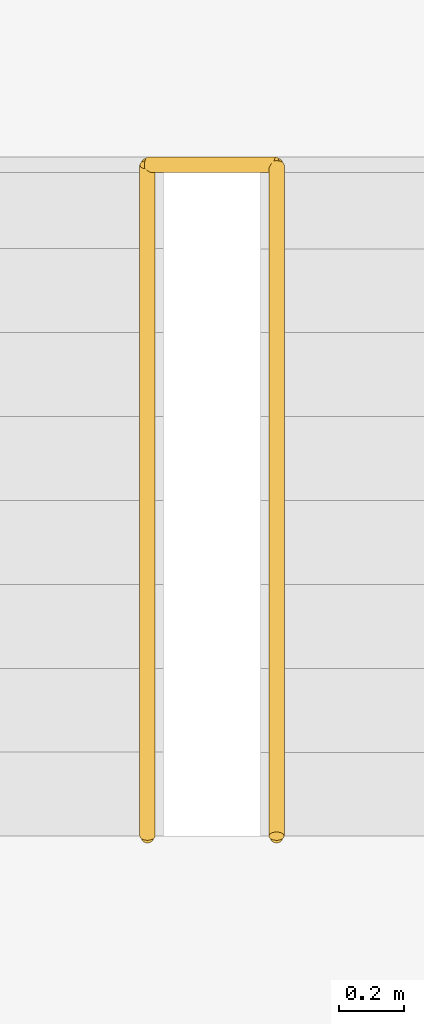
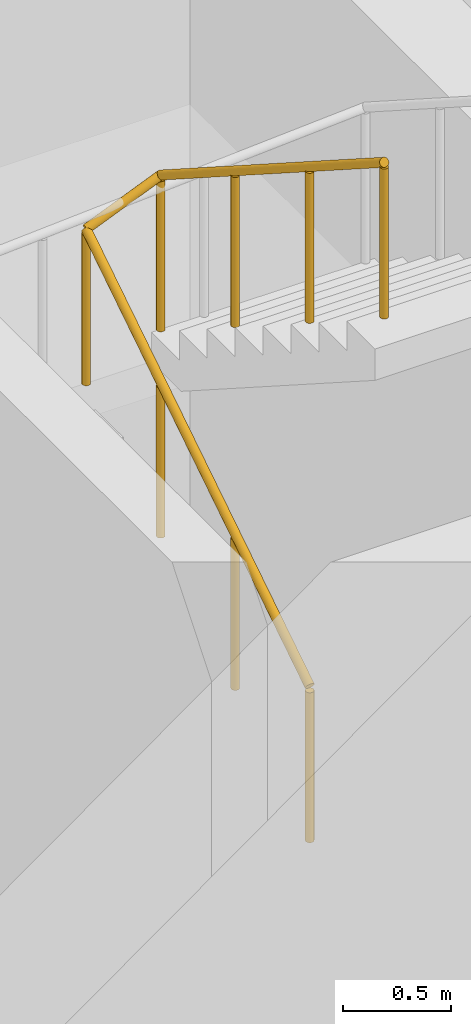
# One storey, part 16 of 16: 1 railing.
"""IFC4 building model written with IfcOpenShell, lengths in metres."""

from ifc_helpers import new_model, si_unit, direction, frame, origin, origin_2d, place, context, subcontext, project, spatial, circle, extrude, material, type_object, element, save


model = new_model("IFC4")

# Units and contexts
model_context = context("Model", 3, precision=1e-05, world=origin(), true_north=direction((0.0, 1.0)))
body_context = subcontext(model_context, "Body", "Model", "MODEL_VIEW")
ifc_project = project(units=[si_unit("LENGTHUNIT", "METRE"), si_unit("AREAUNIT", "SQUARE_METRE"), si_unit("VOLUMEUNIT", "CUBIC_METRE"), si_unit("PLANEANGLEUNIT", "RADIAN"), si_unit("MASSUNIT", "GRAM", prefix="KILO")], contexts=[model_context])

# Site, building, storey
site_placement = place(None, origin())
site = spatial("IfcSite", under=ifc_project, at=site_placement, CompositionType="ELEMENT")
building_placement = place(site_placement, origin())
building = spatial("IfcBuilding", under=site, at=building_placement, Name="Torana Hotel and Residences", CompositionType="ELEMENT")
storey_placement = place(building_placement, frame((0.0, 0.0, 308.60009765625)))
storey = spatial("IfcBuildingStorey", under=building, at=storey_placement, Name="L82", CompositionType="ELEMENT", Elevation=308.60009765625)

# Railing
ifc_material = material(Name="Stainless steel 316", Category="steel")
railing_type = type_object("IfcRailingType", Name="STAIR HANDRAIL HR1 900", PredefinedType="HANDRAIL", material=ifc_material)
railing_placement = place(storey_placement, frame((17.5, -12.949951171875, 3.16650390625)))
element("IfcRailing", 1, at=railing_placement, inside=storey, type_object=railing_type, Name="Handrail ST4 L82 I2", PredefinedType="HANDRAIL", context=body_context, shape_type="SweptSolid", body=[
    extrude(circle(Radius=0.02392578125, at=origin_2d()), frame((0.0, 0.0, 0.8759765625), z_axis=(0.0, 0.841829634381, 0.539743334075), x_axis=(-1.0, 0.0, 0.0)), (0.0, 0.0, 1.0), 2.470703125),
    extrude(circle(Radius=0.02392578125, at=origin_2d()), frame((0.0, 2.079833984375, 2.20947265625), z_axis=(0.9231769392, 0.0, 0.384375257957), x_axis=(0.0, 1.0, 0.0)), (0.0, 0.0, 1.0), 0.43310546875),
    extrude(circle(Radius=0.02392578125, at=origin_2d()), frame((0.39990234375, 2.079833984375, 2.3759765625), z_axis=(0.0, -0.841829634381, 0.539743334075), x_axis=(1.0, 0.0, 0.0)), (0.0, 0.0, 1.0), 2.470703125),
    extrude(circle(Radius=0.02099609375, at=origin_2d()), origin(), (0.0, 0.0, 1.0), 0.851806640625),
    extrude(circle(Radius=0.02099609375, at=origin_2d()), frame((0.0, 0.693359375, 0.444580078125)), (0.0, 0.0, 1.0), 0.851806640625),
    extrude(circle(Radius=0.02099609375, at=origin_2d()), frame((0.0, 1.386474609375, 0.888916015625)), (0.0, 0.0, 1.0), 0.851806640625),
    extrude(circle(Radius=0.02099609375, at=origin_2d()), frame((0.0, 2.079833984375, 1.33349609375)), (0.0, 0.0, 1.0), 0.851806640625),
    extrude(circle(Radius=0.02099609375, at=origin_2d()), frame((0.39990234375, 2.079833984375, 1.5)), (0.0, 0.0, 1.0), 0.851806640625),
    extrude(circle(Radius=0.02099609375, at=origin_2d()), frame((0.39990234375, 1.386474609375, 1.944580078125)), (0.0, 0.0, 1.0), 0.851806640625),
    extrude(circle(Radius=0.02099609375, at=origin_2d()), frame((0.39990234375, 0.693359375, 2.388916015625)), (0.0, 0.0, 1.0), 0.851806640625),
    extrude(circle(Radius=0.02099609375, at=origin_2d()), frame((0.39990234375, 0.0, 2.83349609375)), (0.0, 0.0, 1.0), 0.851806640625),
])

save(model, "model.ifc")
